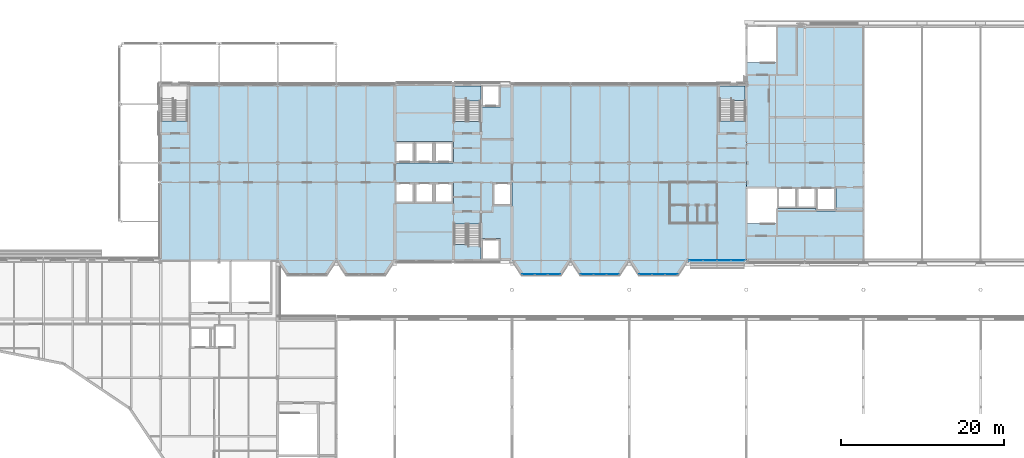
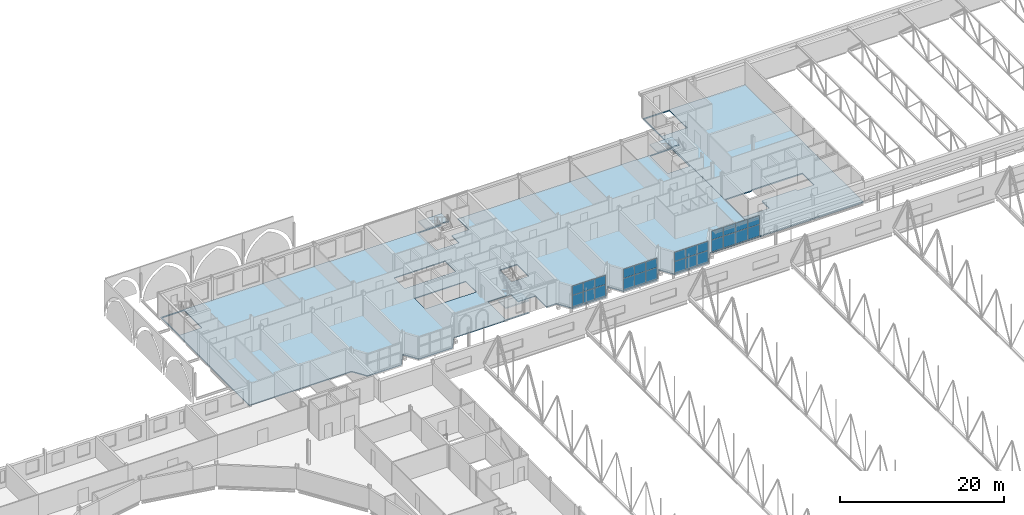
# One storey, part 86 of 142: 26 plates, 5 slabs, 7 elements without a shape of their own.
"""IFC4 building model written with IfcOpenShell, lengths in metres."""

from ifc_helpers import new_model, si_unit, direction, frame, origin, origin_2d, place, context, subcontext, project, spatial, polyline, rectangle, outline, extrude, material, layer, layer_set, type_object, element, aggregate, save


model = new_model("IFC4")

# Units and contexts
model_context = context("Model", 3, precision=1e-05, world=origin(), true_north=direction((0.0, 1.0)))
body_context = subcontext(model_context, "Body", "Model", "MODEL_VIEW")
ifc_project = project(units=[si_unit("LENGTHUNIT", "METRE"), si_unit("AREAUNIT", "SQUARE_METRE"), si_unit("VOLUMEUNIT", "CUBIC_METRE"), si_unit("PLANEANGLEUNIT", "RADIAN"), si_unit("MASSUNIT", "GRAM", prefix="KILO")], contexts=[model_context])

# Site, building, storey
site_placement = place(None, origin())
site = spatial("IfcSite", under=ifc_project, at=site_placement, CompositionType="ELEMENT")
building_placement = place(site_placement, origin())
building = spatial("IfcBuilding", under=site, at=building_placement, Name="Kupolbacken Congress Centre", CompositionType="ELEMENT")
storey_placement = place(building_placement, frame((0.0, 0.0, 14.39990234375)))
storey = spatial("IfcBuildingStorey", under=building, at=storey_placement, Name="L04", CompositionType="ELEMENT", Elevation=14.39990234375)

# Slabs
ifc_material_1 = material(Name="Concrete C30/37", Category="concrete")
ifc_layer_1 = layer(ifc_material_1, 0.080078125)
ifc_material_2 = material(Name="Steel S350 profiled deck", Category="steel")
ifc_layer_2 = layer(ifc_material_2, 0.06005859375)
ifc_layer_set_1 = layer_set([ifc_layer_1, ifc_layer_2], Name="Concrete C30/37 / Steel S350 profiled deck")
slab_type_1 = type_object("IfcSlabType", Name="FS1 slab 140", PredefinedType="FLOOR", material=ifc_layer_set_1)
slab_1_placement = place(storey_placement, frame((0.0, 0.0, -0.139892578125)))
element("IfcSlab", 1, at=slab_1_placement, inside=storey, type_object=slab_type_1, Name="S/floor/T/L04/slab/slab", PredefinedType="FLOOR", context=body_context, shape_type="SweptSolid", body=[
    extrude(outline(polyline([(79.200439453125, 122.399169921875), (80.399658203125, 120.6005859375), (85.2001953125, 120.6005859375), (86.39990234375, 122.39990234375), (87.599609375, 120.6005859375), (92.400390625, 120.6005859375), (93.599609375, 122.3994140625), (93.599609375, 122.400390625), (104.199462890625, 122.400390625), (104.199462890625, 122.574462890625), (100.974609375, 122.574462890625), (100.974609375, 126.890380859375), (104.200439453125, 126.890380859375), (104.200439453125, 125.1005859375), (106.6005859375, 125.1005859375), (106.6005859375, 122.400390625), (108.00048828125, 122.400390625), (108.00048828125, 122.399169921875), (109.19970703125, 120.6005859375), (114.000244140625, 120.6005859375), (115.199951171875, 122.39990234375), (116.399658203125, 120.6005859375), (121.2001953125, 120.6005859375), (122.39990234375, 122.39990234375), (123.599609375, 120.6005859375), (128.400390625, 120.6005859375), (129.599609375, 122.3994140625), (129.599609375, 122.400390625), (136.799560546875, 122.400390625), (136.799560546875, 143.99951171875), (106.6005859375, 143.99951171875), (106.6005859375, 141.299560546875), (104.200439453125, 141.299560546875), (104.200439453125, 139.509521484375), (100.974609375, 139.509521484375), (100.974609375, 143.825439453125), (104.199462890625, 143.825439453125), (104.199462890625, 143.99951171875), (64.800537109375, 143.99951171875), (64.800537109375, 122.400390625), (79.200439453125, 122.400390625), (79.200439453125, 122.399169921875)]), holes=[polyline([(136.650390625, 139.534423828125), (133.549560546875, 139.534423828125), (133.549560546875, 143.8505859375), (136.650390625, 143.8505859375), (136.650390625, 139.534423828125)]), polyline([(108.00048828125, 129.099609375), (105.599609375, 129.099609375), (105.599609375, 132.00048828125), (108.00048828125, 132.00048828125), (108.00048828125, 129.099609375)]), polyline([(93.599609375, 132.00048828125), (100.800537109375, 132.00048828125), (100.800537109375, 129.3994140625), (93.599609375, 129.3994140625), (93.599609375, 132.00048828125)]), polyline([(93.599609375, 137.00048828125), (100.800537109375, 137.00048828125), (100.800537109375, 134.3994140625), (93.599609375, 134.3994140625), (93.599609375, 137.00048828125)]), polyline([(68.050537109375, 143.8505859375), (68.050537109375, 139.534423828125), (64.949462890625, 139.534423828125), (64.949462890625, 143.8505859375), (68.050537109375, 143.8505859375)])]), origin(), (0.0, 0.0, 1.0), 0.139892578125),
])
ifc_layer_3 = layer(ifc_material_1, 0.1201171875)
ifc_layer_4 = layer(ifc_material_2, 0.06005859375)
ifc_layer_set_2 = layer_set([ifc_layer_3, ifc_layer_4], Name="Concrete C30/37 / Steel S350 profiled deck")
slab_type_2 = type_object("IfcSlabType", Name="FS3 slab 180", PredefinedType="FLOOR", material=ifc_layer_set_2)
slab_2_placement = place(storey_placement, frame((0.0, 0.0, -0.179931640625)))
element("IfcSlab", 2, at=slab_2_placement, inside=storey, type_object=slab_type_2, Name="S/floor/BF/L04/slab/slab", PredefinedType="FLOOR", context=body_context, shape_type="SweptSolid", body=[
    extrude(outline(polyline([(151.199462890625, 122.400390625), (151.199462890625, 151.199462890625), (136.800537109375, 151.199462890625), (136.800537109375, 122.400390625), (151.199462890625, 122.400390625)]), holes=[polyline([(140.599609375, 131.400390625), (147.800537109375, 131.400390625), (147.800537109375, 128.49951171875), (145.3994140625, 128.49951171875), (145.3994140625, 128.799560546875), (140.6005859375, 128.799560546875), (140.6005859375, 126.95947265625), (136.924560546875, 126.95947265625), (136.924560546875, 131.275390625), (140.599609375, 131.275390625), (140.599609375, 131.400390625)]), polyline([(136.924560546875, 146.759521484375), (136.924560546875, 151.075439453125), (140.4755859375, 151.075439453125), (140.4755859375, 146.759521484375), (136.924560546875, 146.759521484375)])]), origin(), (0.0, 0.0, 1.0), 0.179931640625),
])

# Curtain wall, plates
ifc_material_3 = material(Name="Aluminium mullion-transom frame with glass", Category="aluminium")
curtain_wall_type = type_object("IfcCurtainWallType", Name="CW1 curtain wall 7200x3600", PredefinedType="NOTDEFINED", material=ifc_material_3)
curtain_wall_1_placement = place(storey_placement, origin())
curtain_wall_1 = element("IfcCurtainWall", 3, at=curtain_wall_1_placement, inside=storey, type_object=curtain_wall_type, Name="E/T/S/L04/057/g0", PredefinedType="NOTDEFINED")
ifc_material_4 = material(Name="Glass", Category="glass")
ifc_layer_5 = layer(ifc_material_4, 0.035888671875)
ifc_layer_set_3 = layer_set([ifc_layer_5], Name="Glass")
plate_type = type_object("IfcPlateType", Name="GL2 glass panel 36", PredefinedType="CURTAIN_PANEL", material=ifc_layer_set_3)
plate_1_placement = place(storey_placement, frame((130.628173828125, 122.39990234375, 0.050048828125), z_axis=(0.0, 0.0, 1.0), x_axis=(1.0, 0.0, 0.0)))
plate_1 = element("IfcPlate", 4, at=plate_1_placement, type_object=plate_type, Name="CW1 panel 1.1", PredefinedType="CURTAIN_PANEL", context=body_context, shape_type="SweptSolid", body=[
    extrude(rectangle(XDim=1.649169921875, YDim=0.035888671875, at=origin_2d()), origin(), (0.0, 0.0, 1.0), 1.72509765625),
])
plate_2_placement = place(storey_placement, frame((130.628173828125, 122.39990234375, 1.8251953125), z_axis=(0.0, 0.0, 1.0), x_axis=(1.0, 0.0, 0.0)))
plate_2 = element("IfcPlate", 5, at=plate_2_placement, type_object=plate_type, Name="CW1 panel 1.2", PredefinedType="CURTAIN_PANEL", context=body_context, shape_type="SweptSolid", body=[
    extrude(rectangle(XDim=1.649169921875, YDim=0.035888671875, at=origin_2d()), origin(), (0.0, 0.0, 1.0), 1.284912109375),
])
plate_3_placement = place(storey_placement, frame((132.339599609375, 122.39990234375, 0.050048828125), z_axis=(0.0, 0.0, 1.0), x_axis=(1.0, 0.0, 0.0)))
plate_3 = element("IfcPlate", 6, at=plate_3_placement, type_object=plate_type, Name="CW1 panel 2.1", PredefinedType="CURTAIN_PANEL", context=body_context, shape_type="SweptSolid", body=[
    extrude(rectangle(XDim=1.674072265625, YDim=0.035888671875, at=origin_2d()), origin(), (0.0, 0.0, 1.0), 1.72509765625),
])
plate_4_placement = place(storey_placement, frame((132.339599609375, 122.39990234375, 1.8251953125), z_axis=(0.0, 0.0, 1.0), x_axis=(1.0, 0.0, 0.0)))
plate_4 = element("IfcPlate", 7, at=plate_4_placement, type_object=plate_type, Name="CW1 panel 2.2", PredefinedType="CURTAIN_PANEL", context=body_context, shape_type="SweptSolid", body=[
    extrude(rectangle(XDim=1.674072265625, YDim=0.035888671875, at=origin_2d()), origin(), (0.0, 0.0, 1.0), 1.284912109375),
])
plate_5_placement = place(storey_placement, frame((134.063720703125, 122.39990234375, 0.050048828125), z_axis=(0.0, 0.0, 1.0), x_axis=(1.0, 0.0, 0.0)))
plate_5 = element("IfcPlate", 8, at=plate_5_placement, type_object=plate_type, Name="CW1 panel 3.1", PredefinedType="CURTAIN_PANEL", context=body_context, shape_type="SweptSolid", body=[
    extrude(rectangle(XDim=1.674072265625, YDim=0.035888671875, at=origin_2d()), origin(), (0.0, 0.0, 1.0), 1.72509765625),
])
plate_6_placement = place(storey_placement, frame((134.063720703125, 122.39990234375, 1.8251953125), z_axis=(0.0, 0.0, 1.0), x_axis=(1.0, 0.0, 0.0)))
plate_6 = element("IfcPlate", 9, at=plate_6_placement, type_object=plate_type, Name="CW1 panel 3.2", PredefinedType="CURTAIN_PANEL", context=body_context, shape_type="SweptSolid", body=[
    extrude(rectangle(XDim=1.674072265625, YDim=0.035888671875, at=origin_2d()), origin(), (0.0, 0.0, 1.0), 1.284912109375),
])
plate_7_placement = place(storey_placement, frame((135.775390625, 122.39990234375, 0.050048828125), z_axis=(0.0, 0.0, 1.0), x_axis=(1.0, 0.0, 0.0)))
plate_7 = element("IfcPlate", 10, at=plate_7_placement, type_object=plate_type, Name="CW1 panel 4.1", PredefinedType="CURTAIN_PANEL", context=body_context, shape_type="SweptSolid", body=[
    extrude(rectangle(XDim=1.649169921875, YDim=0.035888671875, at=origin_2d()), origin(), (0.0, 0.0, 1.0), 1.72509765625),
])
plate_8_placement = place(storey_placement, frame((135.775390625, 122.39990234375, 1.8251953125), z_axis=(0.0, 0.0, 1.0), x_axis=(1.0, 0.0, 0.0)))
plate_8 = element("IfcPlate", 11, at=plate_8_placement, type_object=plate_type, Name="CW1 panel 4.2", PredefinedType="CURTAIN_PANEL", context=body_context, shape_type="SweptSolid", body=[
    extrude(rectangle(XDim=1.649169921875, YDim=0.035888671875, at=origin_2d()), origin(), (0.0, 0.0, 1.0), 1.284912109375),
])
aggregate(curtain_wall_1, [plate_1, plate_2, plate_3, plate_4, plate_5, plate_6, plate_7, plate_8])

curtain_wall_2_placement = place(storey_placement, origin())
curtain_wall_2 = element("IfcCurtainWall", 12, at=curtain_wall_2_placement, inside=storey, type_object=curtain_wall_type, Name="E/T/cumba/L04/S/012/cw", PredefinedType="NOTDEFINED")
plate_9_placement = place(storey_placement, frame((110.012451171875, 120.699951171875, 0.050048828125), z_axis=(0.0, 0.0, 1.0), x_axis=(1.0, 0.0, 0.0)))
plate_9 = element("IfcPlate", 13, at=plate_9_placement, type_object=plate_type, Name="CW1 panel 1.1", PredefinedType="CURTAIN_PANEL", context=body_context, shape_type="SweptSolid", body=[
    extrude(rectangle(XDim=1.52490234375, YDim=0.035888671875, at=origin_2d()), origin(), (0.0, 0.0, 1.0), 1.72509765625),
])
plate_10_placement = place(storey_placement, frame((110.012451171875, 120.699951171875, 1.8251953125), z_axis=(0.0, 0.0, 1.0), x_axis=(1.0, 0.0, 0.0)))
plate_10 = element("IfcPlate", 14, at=plate_10_placement, type_object=plate_type, Name="CW1 panel 1.2", PredefinedType="CURTAIN_PANEL", context=body_context, shape_type="SweptSolid", body=[
    extrude(rectangle(XDim=1.52490234375, YDim=0.035888671875, at=origin_2d()), origin(), (0.0, 0.0, 1.0), 1.344970703125),
])
plate_11_placement = place(storey_placement, frame((111.60009765625, 120.699951171875, 0.050048828125), z_axis=(0.0, 0.0, 1.0), x_axis=(1.0, 0.0, 0.0)))
plate_11 = element("IfcPlate", 15, at=plate_11_placement, type_object=plate_type, Name="CW1 panel 2.1", PredefinedType="CURTAIN_PANEL", context=body_context, shape_type="SweptSolid", body=[
    extrude(rectangle(XDim=1.550048828125, YDim=0.035888671875, at=origin_2d()), origin(), (0.0, 0.0, 1.0), 1.72509765625),
])
plate_12_placement = place(storey_placement, frame((111.60009765625, 120.699951171875, 1.8251953125), z_axis=(0.0, 0.0, 1.0), x_axis=(1.0, 0.0, 0.0)))
plate_12 = element("IfcPlate", 16, at=plate_12_placement, type_object=plate_type, Name="CW1 panel 2.2", PredefinedType="CURTAIN_PANEL", context=body_context, shape_type="SweptSolid", body=[
    extrude(rectangle(XDim=1.550048828125, YDim=0.035888671875, at=origin_2d()), origin(), (0.0, 0.0, 1.0), 1.344970703125),
])
plate_13_placement = place(storey_placement, frame((113.1875, 120.699951171875, 0.050048828125), z_axis=(0.0, 0.0, 1.0), x_axis=(1.0, 0.0, 0.0)))
plate_13 = element("IfcPlate", 17, at=plate_13_placement, type_object=plate_type, Name="CW1 panel 3.1", PredefinedType="CURTAIN_PANEL", context=body_context, shape_type="SweptSolid", body=[
    extrude(rectangle(XDim=1.52490234375, YDim=0.035888671875, at=origin_2d()), origin(), (0.0, 0.0, 1.0), 1.72509765625),
])
plate_14_placement = place(storey_placement, frame((113.1875, 120.699951171875, 1.8251953125), z_axis=(0.0, 0.0, 1.0), x_axis=(1.0, 0.0, 0.0)))
plate_14 = element("IfcPlate", 18, at=plate_14_placement, type_object=plate_type, Name="CW1 panel 3.2", PredefinedType="CURTAIN_PANEL", context=body_context, shape_type="SweptSolid", body=[
    extrude(rectangle(XDim=1.52490234375, YDim=0.035888671875, at=origin_2d()), origin(), (0.0, 0.0, 1.0), 1.344970703125),
])
aggregate(curtain_wall_2, [plate_9, plate_10, plate_11, plate_12, plate_13, plate_14])

curtain_wall_3_placement = place(storey_placement, origin())
curtain_wall_3 = element("IfcCurtainWall", 19, at=curtain_wall_3_placement, inside=storey, type_object=curtain_wall_type, Name="E/T/cumba/L04/S/016/cw", PredefinedType="NOTDEFINED")
plate_15_placement = place(storey_placement, frame((117.21240234375, 120.699951171875, 0.050048828125), z_axis=(0.0, 0.0, 1.0), x_axis=(1.0, 0.0, 0.0)))
plate_15 = element("IfcPlate", 20, at=plate_15_placement, type_object=plate_type, Name="CW1 panel 1.1", PredefinedType="CURTAIN_PANEL", context=body_context, shape_type="SweptSolid", body=[
    extrude(rectangle(XDim=1.52490234375, YDim=0.035888671875, at=origin_2d()), origin(), (0.0, 0.0, 1.0), 1.72509765625),
])
plate_16_placement = place(storey_placement, frame((117.21240234375, 120.699951171875, 1.8251953125), z_axis=(0.0, 0.0, 1.0), x_axis=(1.0, 0.0, 0.0)))
plate_16 = element("IfcPlate", 21, at=plate_16_placement, type_object=plate_type, Name="CW1 panel 1.2", PredefinedType="CURTAIN_PANEL", context=body_context, shape_type="SweptSolid", body=[
    extrude(rectangle(XDim=1.52490234375, YDim=0.035888671875, at=origin_2d()), origin(), (0.0, 0.0, 1.0), 1.344970703125),
])
plate_17_placement = place(storey_placement, frame((118.800048828125, 120.699951171875, 0.050048828125), z_axis=(0.0, 0.0, 1.0), x_axis=(1.0, 0.0, 0.0)))
plate_17 = element("IfcPlate", 22, at=plate_17_placement, type_object=plate_type, Name="CW1 panel 2.1", PredefinedType="CURTAIN_PANEL", context=body_context, shape_type="SweptSolid", body=[
    extrude(rectangle(XDim=1.550048828125, YDim=0.035888671875, at=origin_2d()), origin(), (0.0, 0.0, 1.0), 1.72509765625),
])
plate_18_placement = place(storey_placement, frame((118.800048828125, 120.699951171875, 1.8251953125), z_axis=(0.0, 0.0, 1.0), x_axis=(1.0, 0.0, 0.0)))
plate_18 = element("IfcPlate", 23, at=plate_18_placement, type_object=plate_type, Name="CW1 panel 2.2", PredefinedType="CURTAIN_PANEL", context=body_context, shape_type="SweptSolid", body=[
    extrude(rectangle(XDim=1.550048828125, YDim=0.035888671875, at=origin_2d()), origin(), (0.0, 0.0, 1.0), 1.344970703125),
])
plate_19_placement = place(storey_placement, frame((120.387451171875, 120.699951171875, 0.050048828125), z_axis=(0.0, 0.0, 1.0), x_axis=(1.0, 0.0, 0.0)))
plate_19 = element("IfcPlate", 24, at=plate_19_placement, type_object=plate_type, Name="CW1 panel 3.1", PredefinedType="CURTAIN_PANEL", context=body_context, shape_type="SweptSolid", body=[
    extrude(rectangle(XDim=1.52490234375, YDim=0.035888671875, at=origin_2d()), origin(), (0.0, 0.0, 1.0), 1.72509765625),
])
plate_20_placement = place(storey_placement, frame((120.387451171875, 120.699951171875, 1.8251953125), z_axis=(0.0, 0.0, 1.0), x_axis=(1.0, 0.0, 0.0)))
plate_20 = element("IfcPlate", 25, at=plate_20_placement, type_object=plate_type, Name="CW1 panel 3.2", PredefinedType="CURTAIN_PANEL", context=body_context, shape_type="SweptSolid", body=[
    extrude(rectangle(XDim=1.52490234375, YDim=0.035888671875, at=origin_2d()), origin(), (0.0, 0.0, 1.0), 1.344970703125),
])
aggregate(curtain_wall_3, [plate_15, plate_16, plate_17, plate_18, plate_19, plate_20])

curtain_wall_4_placement = place(storey_placement, origin())
curtain_wall_4 = element("IfcCurtainWall", 26, at=curtain_wall_4_placement, inside=storey, type_object=curtain_wall_type, Name="E/T/cumba/L04/S/020/cw", PredefinedType="NOTDEFINED")
plate_21_placement = place(storey_placement, frame((124.41259765625, 120.699951171875, 0.050048828125), z_axis=(0.0, 0.0, 1.0), x_axis=(1.0, 0.0, 0.0)))
plate_21 = element("IfcPlate", 27, at=plate_21_placement, type_object=plate_type, Name="CW1 panel 1.1", PredefinedType="CURTAIN_PANEL", context=body_context, shape_type="SweptSolid", body=[
    extrude(rectangle(XDim=1.52490234375, YDim=0.035888671875, at=origin_2d()), origin(), (0.0, 0.0, 1.0), 1.72509765625),
])
plate_22_placement = place(storey_placement, frame((124.41259765625, 120.699951171875, 1.8251953125), z_axis=(0.0, 0.0, 1.0), x_axis=(1.0, 0.0, 0.0)))
plate_22 = element("IfcPlate", 28, at=plate_22_placement, type_object=plate_type, Name="CW1 panel 1.2", PredefinedType="CURTAIN_PANEL", context=body_context, shape_type="SweptSolid", body=[
    extrude(rectangle(XDim=1.52490234375, YDim=0.035888671875, at=origin_2d()), origin(), (0.0, 0.0, 1.0), 1.344970703125),
])
plate_23_placement = place(storey_placement, frame((126.0, 120.699951171875, 0.050048828125), z_axis=(0.0, 0.0, 1.0), x_axis=(1.0, 0.0, 0.0)))
plate_23 = element("IfcPlate", 29, at=plate_23_placement, type_object=plate_type, Name="CW1 panel 2.1", PredefinedType="CURTAIN_PANEL", context=body_context, shape_type="SweptSolid", body=[
    extrude(rectangle(XDim=1.550048828125, YDim=0.035888671875, at=origin_2d()), origin(), (0.0, 0.0, 1.0), 1.72509765625),
])
plate_24_placement = place(storey_placement, frame((126.0, 120.699951171875, 1.8251953125), z_axis=(0.0, 0.0, 1.0), x_axis=(1.0, 0.0, 0.0)))
plate_24 = element("IfcPlate", 30, at=plate_24_placement, type_object=plate_type, Name="CW1 panel 2.2", PredefinedType="CURTAIN_PANEL", context=body_context, shape_type="SweptSolid", body=[
    extrude(rectangle(XDim=1.550048828125, YDim=0.035888671875, at=origin_2d()), origin(), (0.0, 0.0, 1.0), 1.344970703125),
])
plate_25_placement = place(storey_placement, frame((127.58740234375, 120.699951171875, 0.050048828125), z_axis=(0.0, 0.0, 1.0), x_axis=(1.0, 0.0, 0.0)))
plate_25 = element("IfcPlate", 31, at=plate_25_placement, type_object=plate_type, Name="CW1 panel 3.1", PredefinedType="CURTAIN_PANEL", context=body_context, shape_type="SweptSolid", body=[
    extrude(rectangle(XDim=1.52490234375, YDim=0.035888671875, at=origin_2d()), origin(), (0.0, 0.0, 1.0), 1.72509765625),
])
plate_26_placement = place(storey_placement, frame((127.58740234375, 120.699951171875, 1.8251953125), z_axis=(0.0, 0.0, 1.0), x_axis=(1.0, 0.0, 0.0)))
plate_26 = element("IfcPlate", 32, at=plate_26_placement, type_object=plate_type, Name="CW1 panel 3.2", PredefinedType="CURTAIN_PANEL", context=body_context, shape_type="SweptSolid", body=[
    extrude(rectangle(XDim=1.52490234375, YDim=0.035888671875, at=origin_2d()), origin(), (0.0, 0.0, 1.0), 1.344970703125),
])
aggregate(curtain_wall_4, [plate_21, plate_22, plate_23, plate_24, plate_25, plate_26])

# Stair, slab
ifc_material_5 = material(Name="Steel S355", Category="steel")
stair_type = type_object("IfcStairType", Name="ST2 stair 1500", PredefinedType="TWO_STRAIGHT_RUN_STAIR", material=ifc_material_5)
stair_1_placement = place(storey_placement, origin())
stair_1 = element("IfcStair", 33, at=stair_1_placement, inside=storey, type_object=stair_type, Name="C/stair/TS1/L04", PredefinedType="NOTDEFINED")
ifc_material_6 = material(Name="Concrete C30/37 precast", Category="concrete")
ifc_layer_6 = layer(ifc_material_6, 0.175048828125)
ifc_layer_set_4 = layer_set([ifc_layer_6], Name="Concrete C30/37 precast")
slab_type_3 = type_object("IfcSlabType", Name="SL1 slab 175", PredefinedType="LANDING", material=ifc_layer_set_4)
slab_3_placement = place(storey_placement, frame((0.0, 0.0, 1.539306640625)))
slab_3 = element("IfcSlab", 34, at=slab_3_placement, type_object=slab_type_3, Name="TS1 landing 1", PredefinedType="LANDING", context=body_context, shape_type="SweptSolid", body=[
    extrude(outline(polyline([(100.955078125, 122.554931640625), (104.219970703125, 122.554931640625), (104.219970703125, 124.3798828125), (100.955078125, 124.3798828125), (100.955078125, 122.554931640625)])), origin(), (0.0, 0.0, 1.0), 0.175048828125),
])
aggregate(stair_1, [slab_3])

stair_2_placement = place(storey_placement, origin())
stair_2 = element("IfcStair", 35, at=stair_2_placement, inside=storey, type_object=stair_type, Name="C/stair/TS2/L04", PredefinedType="NOTDEFINED")
slab_4_placement = place(storey_placement, frame((0.0, 0.0, 1.539306640625)))
slab_4 = element("IfcSlab", 36, at=slab_4_placement, type_object=slab_type_3, Name="TS2 landing 1", PredefinedType="LANDING", context=body_context, shape_type="SweptSolid", body=[
    extrude(outline(polyline([(100.955078125, 142.02001953125), (104.219970703125, 142.02001953125), (104.219970703125, 143.844970703125), (100.955078125, 143.844970703125), (100.955078125, 142.02001953125)])), origin(), (0.0, 0.0, 1.0), 0.175048828125),
])
aggregate(stair_2, [slab_4])

stair_3_placement = place(storey_placement, origin())
stair_3 = element("IfcStair", 37, at=stair_3_placement, inside=storey, type_object=stair_type, Name="C/stair/TS4/L04", PredefinedType="NOTDEFINED")
slab_5_placement = place(storey_placement, frame((0.0, 0.0, 1.539306640625)))
slab_5 = element("IfcSlab", 38, at=slab_5_placement, type_object=slab_type_3, Name="TS4 landing 1", PredefinedType="LANDING", context=body_context, shape_type="SweptSolid", body=[
    extrude(outline(polyline([(133.530029296875, 142.044921875), (136.669921875, 142.044921875), (136.669921875, 143.8701171875), (133.530029296875, 143.8701171875), (133.530029296875, 142.044921875)])), origin(), (0.0, 0.0, 1.0), 0.175048828125),
])
aggregate(stair_3, [slab_5])

save(model, "model.ifc")
